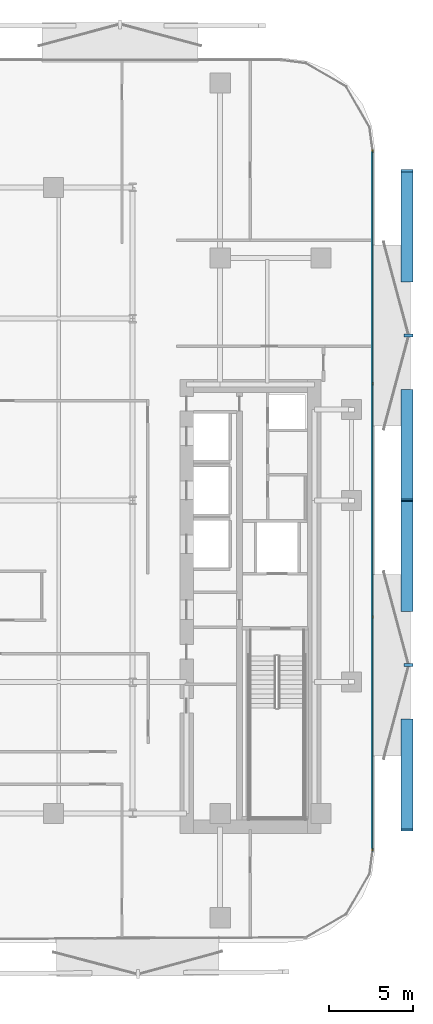
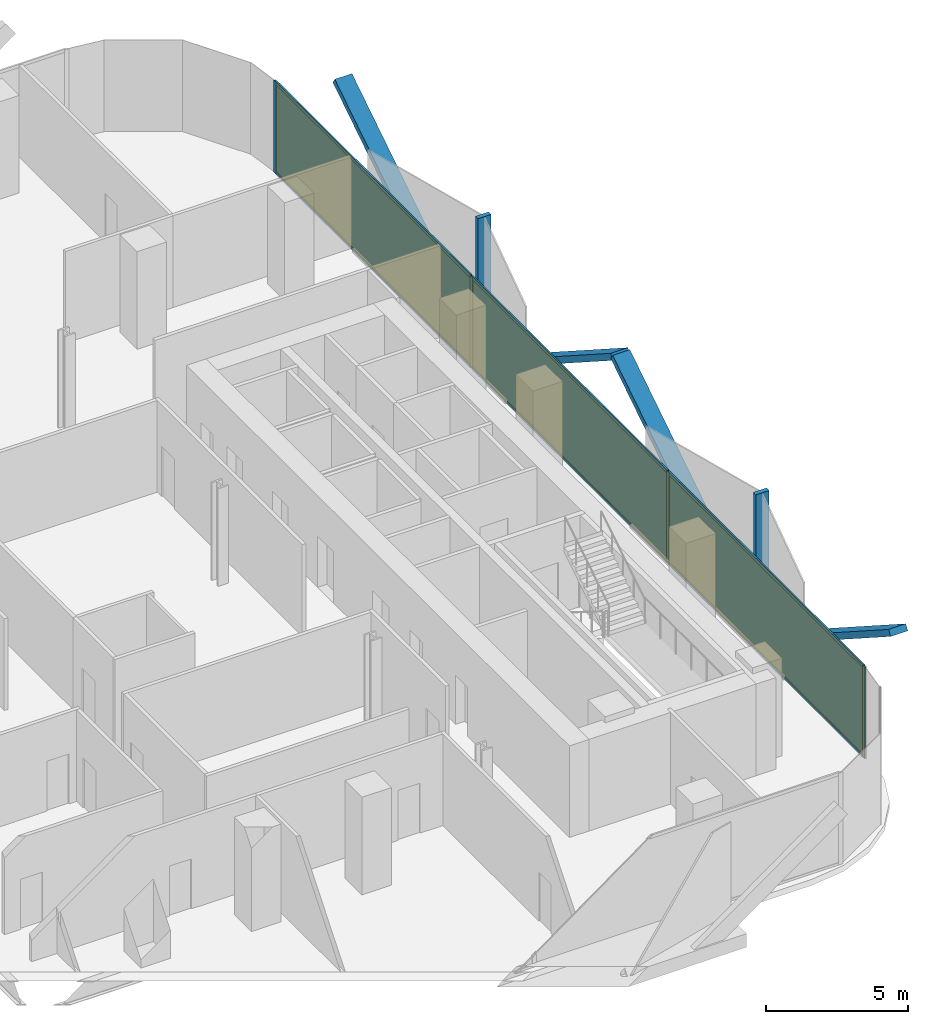
# One storey, part 10 of 16: 16 members, 3 plates, 1 curtain wall.
"""IFC4 building model written with IfcOpenShell, lengths in metres."""

from ifc_helpers import new_model, si_unit, direction, frame, frame_2d, origin, origin_2d, place, context, subcontext, project, spatial, rectangle, extrude, material, layer, layer_set, material_profile, profile_set, type_object, element, aggregate, save


model = new_model("IFC4")

# Units and contexts
model_context = context("Model", 3, precision=1e-05, world=origin(), true_north=direction((0.0, 1.0)))
body_context = subcontext(model_context, "Body", "Model", "MODEL_VIEW")
ifc_project = project(units=[si_unit("LENGTHUNIT", "METRE"), si_unit("AREAUNIT", "SQUARE_METRE"), si_unit("VOLUMEUNIT", "CUBIC_METRE"), si_unit("PLANEANGLEUNIT", "RADIAN"), si_unit("MASSUNIT", "GRAM", prefix="KILO")], contexts=[model_context])

# Member
ifc_material_1 = material(Name="Anodised Bronze Aluminium 6063-T6", Category="aluminium")
ifc_material_profile_1 = material_profile(ifc_material_1, rectangle(XDim=0.260009765625, YDim=0.699951171875, at=origin_2d()))
ifc_profile_set_1 = profile_set([ifc_material_profile_1], Name="Anodised Bronze Aluminium 6063-T6")
member_type_1 = type_object("IfcMemberType", Name="Bronze Diamond Solar-Screen Lattice Rib BDL-700", PredefinedType="MULLION", material=ifc_profile_set_1)
site_placement = place(None, origin())
building_placement = place(site_placement, origin())
storey_placement = place(building_placement, frame((0.0, 0.0, 139.39990234375)))
member_1_placement = place(storey_placement, frame((25.5, 6.5302734375, -0.1298828125), z_axis=(0.0, -0.841066075866, 0.540932395062), x_axis=(0.0, -0.540932395062, -0.841066075866)))
member_1 = element("IfcMember", 1, at=member_1_placement, type_object=member_type_1, Name="L32 Bronze Diamond Solar Screen Lattice Rib 207A", PredefinedType="MULLION", context=body_context, shape_type="SweptSolid", body=[
    extrude(rectangle(XDim=0.260009765625, YDim=0.699951171875, at=origin_2d()), origin(), (0.0, 0.0, 1.0), 7.76416015625),
])

member_2_placement = place(storey_placement, frame((25.5, 13.060546875, -0.1298828125), z_axis=(0.0, 0.841066075866, 0.540932395062), x_axis=(0.0, 0.540932395062, -0.841066075866)))
member_2 = element("IfcMember", 2, at=member_2_placement, type_object=member_type_1, Name="L32 Bronze Diamond Solar Screen Lattice Rib 207B", PredefinedType="MULLION", context=body_context, shape_type="SweptSolid", body=[
    extrude(rectangle(XDim=0.260009765625, YDim=0.699951171875, at=origin_2d()), origin(), (0.0, 0.0, 1.0), 7.76416015625),
])

member_3_placement = place(storey_placement, frame((25.5, -13.060546875, -0.1298828125), z_axis=(0.0, -0.841066075866, 0.540932395062), x_axis=(0.0, -0.540932395062, -0.841066075866)))
member_3 = element("IfcMember", 3, at=member_3_placement, type_object=member_type_1, Name="L32 Bronze Diamond Solar Screen Lattice Rib 208A", PredefinedType="MULLION", context=body_context, shape_type="SweptSolid", body=[
    extrude(rectangle(XDim=0.260009765625, YDim=0.699951171875, at=origin_2d()), origin(), (0.0, 0.0, 1.0), 7.76416015625),
])

member_4_placement = place(storey_placement, frame((25.5, -6.5302734375, -0.1298828125), z_axis=(0.0, 0.841066075866, 0.540932395062), x_axis=(0.0, 0.540932395062, -0.841066075866)))
member_4 = element("IfcMember", 4, at=member_4_placement, type_object=member_type_1, Name="L32 Bronze Diamond Solar Screen Lattice Rib 208B", PredefinedType="MULLION", context=body_context, shape_type="SweptSolid", body=[
    extrude(rectangle(XDim=0.260009765625, YDim=0.699951171875, at=origin_2d()), origin(), (0.0, 0.0, 1.0), 7.76416015625),
])

ifc_material_2 = material(Name="Anodised Bronze Aluminium 6063-T6", Category="aluminium")
ifc_material_profile_2 = material_profile(ifc_material_2, rectangle(XDim=0.179931640625, YDim=0.5400390625, at=origin_2d()))
ifc_profile_set_2 = profile_set([ifc_material_profile_2], Name="Anodised Bronze Aluminium 6063-T6")
member_type_2 = type_object("IfcMemberType", Name="Bronze Solar-Screen Vertical Fold Fin BSF-540", PredefinedType="MULLION", material=ifc_profile_set_2)
member_5_placement = place(storey_placement, frame((25.580078125, 9.79541015625, -0.1298828125), z_axis=(0.0, 0.0, 1.0), x_axis=(0.0, -1.0, 0.0)))
member_5 = element("IfcMember", 5, at=member_5_placement, type_object=member_type_2, Name="L32 Bronze Solar Screen Vertical Fin 207", PredefinedType="MULLION", context=body_context, shape_type="SweptSolid", body=[
    extrude(rectangle(XDim=0.179931640625, YDim=0.5400390625, at=origin_2d()), origin(), (0.0, 0.0, 1.0), 4.199951171875),
])

member_6_placement = place(storey_placement, frame((25.580078125, -9.79541015625, -0.1298828125), z_axis=(0.0, 0.0, 1.0), x_axis=(0.0, -1.0, 0.0)))
member_6 = element("IfcMember", 6, at=member_6_placement, type_object=member_type_2, Name="L32 Bronze Solar Screen Vertical Fin 208", PredefinedType="MULLION", context=body_context, shape_type="SweptSolid", body=[
    extrude(rectangle(XDim=0.179931640625, YDim=0.5400390625, at=origin_2d()), origin(), (0.0, 0.0, 1.0), 4.199951171875),
])

ifc_material_3 = material(Name="Anodised Bronze Aluminium 6063-T6", Category="aluminium")
ifc_material_profile_3 = material_profile(ifc_material_3, rectangle(XDim=0.06494140625, YDim=0.175048828125, at=origin_2d()))
ifc_profile_set_3 = profile_set([ifc_material_profile_3], Name="Anodised Bronze Aluminium 6063-T6")
member_type_3 = type_object("IfcMemberType", Name="CW-Z2 Mullion 65x175", PredefinedType="MULLION", material=ifc_profile_set_3)
member_7_placement = place(storey_placement, frame((23.4599609375, 20.75830078125, 0.0), z_axis=(0.0, 0.0, 1.0), x_axis=(1.0, 0.0, 0.0)))
member_7 = element("IfcMember", 7, at=member_7_placement, type_object=member_type_3, Name="CW-Z2 mullion 1", PredefinedType="MULLION", context=body_context, shape_type="SweptSolid", body=[
    extrude(rectangle(XDim=0.06494140625, YDim=0.175048828125, at=origin_2d()), origin(), (0.0, 0.0, 1.0), 3.940185546875),
])

member_8_placement = place(storey_placement, frame((23.4599609375, 6.93017578125, 0.0), z_axis=(0.0, 0.0, 1.0), x_axis=(1.0, 0.0, 0.0)))
member_8 = element("IfcMember", 8, at=member_8_placement, type_object=member_type_3, Name="CW-Z2 mullion 2", PredefinedType="MULLION", context=body_context, shape_type="SweptSolid", body=[
    extrude(rectangle(XDim=0.06494140625, YDim=0.175048828125, at=origin_2d()), origin(), (0.0, 0.0, 1.0), 3.940185546875),
])

member_9_placement = place(storey_placement, frame((23.4599609375, -6.93017578125, 0.0), z_axis=(0.0, 0.0, 1.0), x_axis=(1.0, 0.0, 0.0)))
member_9 = element("IfcMember", 9, at=member_9_placement, type_object=member_type_3, Name="CW-Z2 mullion 3", PredefinedType="MULLION", context=body_context, shape_type="SweptSolid", body=[
    extrude(rectangle(XDim=0.06494140625, YDim=0.175048828125, at=origin_2d()), origin(), (0.0, 0.0, 1.0), 3.940185546875),
])

member_10_placement = place(storey_placement, frame((23.4599609375, -20.75830078125, 0.0), z_axis=(0.0, 0.0, 1.0), x_axis=(1.0, 0.0, 0.0)))
member_10 = element("IfcMember", 10, at=member_10_placement, type_object=member_type_3, Name="CW-Z2 mullion 4", PredefinedType="MULLION", context=body_context, shape_type="SweptSolid", body=[
    extrude(rectangle(XDim=0.06494140625, YDim=0.175048828125, at=origin_2d()), origin(), (0.0, 0.0, 1.0), 3.940185546875),
])

ifc_material_4 = material(Name="Anodised Bronze Aluminium 6063-T6", Category="aluminium")
ifc_material_profile_4 = material_profile(ifc_material_4, rectangle(XDim=0.06494140625, YDim=0.135009765625, at=origin_2d()))
ifc_profile_set_4 = profile_set([ifc_material_profile_4], Name="Anodised Bronze Aluminium 6063-T6")
member_type_4 = type_object("IfcMemberType", Name="CW-Z2 Transom 65x135", PredefinedType="USERDEFINED", material=ifc_profile_set_4)
member_11_placement = place(storey_placement, frame((23.4599609375, 20.725830078125, 0.03271484375), z_axis=(0.0, -1.0, 0.0), x_axis=(1.0, 0.0, 0.0)))
member_11 = element("IfcMember", 11, at=member_11_placement, type_object=member_type_4, Name="CW-Z2 transom 1.1", ObjectType="TRANSOM", PredefinedType="USERDEFINED", context=body_context, shape_type="SweptSolid", body=[
    extrude(rectangle(XDim=0.06494140625, YDim=0.135009765625, at=origin_2d()), origin(), (0.0, 0.0, 1.0), 13.76318359375),
])

member_12_placement = place(storey_placement, frame((23.4599609375, 20.725830078125, 3.90771484375), z_axis=(0.0, -1.0, 0.0), x_axis=(1.0, 0.0, 0.0)))
member_12 = element("IfcMember", 12, at=member_12_placement, type_object=member_type_4, Name="CW-Z2 transom 1.2", ObjectType="TRANSOM", PredefinedType="USERDEFINED", context=body_context, shape_type="SweptSolid", body=[
    extrude(rectangle(XDim=0.06494140625, YDim=0.135009765625, at=origin_2d()), origin(), (0.0, 0.0, 1.0), 13.76318359375),
])

member_13_placement = place(storey_placement, frame((23.4599609375, 6.897705078125, 0.03271484375), z_axis=(0.0, -1.0, 0.0), x_axis=(1.0, 0.0, 0.0)))
member_13 = element("IfcMember", 13, at=member_13_placement, type_object=member_type_4, Name="CW-Z2 transom 2.1", ObjectType="TRANSOM", PredefinedType="USERDEFINED", context=body_context, shape_type="SweptSolid", body=[
    extrude(rectangle(XDim=0.06494140625, YDim=0.135009765625, at=origin_2d()), origin(), (0.0, 0.0, 1.0), 13.79541015625),
])

member_14_placement = place(storey_placement, frame((23.4599609375, 6.897705078125, 3.90771484375), z_axis=(0.0, -1.0, 0.0), x_axis=(1.0, 0.0, 0.0)))
member_14 = element("IfcMember", 14, at=member_14_placement, type_object=member_type_4, Name="CW-Z2 transom 2.2", ObjectType="TRANSOM", PredefinedType="USERDEFINED", context=body_context, shape_type="SweptSolid", body=[
    extrude(rectangle(XDim=0.06494140625, YDim=0.135009765625, at=origin_2d()), origin(), (0.0, 0.0, 1.0), 13.79541015625),
])

member_15_placement = place(storey_placement, frame((23.4599609375, -6.962646484375, 0.03271484375), z_axis=(0.0, -1.0, 0.0), x_axis=(1.0, 0.0, 0.0)))
member_15 = element("IfcMember", 15, at=member_15_placement, type_object=member_type_4, Name="CW-Z2 transom 3.1", ObjectType="TRANSOM", PredefinedType="USERDEFINED", context=body_context, shape_type="SweptSolid", body=[
    extrude(rectangle(XDim=0.06494140625, YDim=0.135009765625, at=origin_2d()), origin(), (0.0, 0.0, 1.0), 13.76318359375),
])

member_16_placement = place(storey_placement, frame((23.4599609375, -6.962646484375, 3.90771484375), z_axis=(0.0, -1.0, 0.0), x_axis=(1.0, 0.0, 0.0)))
member_16 = element("IfcMember", 16, at=member_16_placement, type_object=member_type_4, Name="CW-Z2 transom 3.2", ObjectType="TRANSOM", PredefinedType="USERDEFINED", context=body_context, shape_type="SweptSolid", body=[
    extrude(rectangle(XDim=0.06494140625, YDim=0.135009765625, at=origin_2d()), origin(), (0.0, 0.0, 1.0), 13.76318359375),
])

# Plate
ifc_material_5 = material(Name="Low-E Solar Control Laminated Glass", Category="glass")
ifc_layer_1 = layer(ifc_material_5, 0.028076171875, Name="Low-E Solar Control Laminated Glass")
ifc_layer_set_1 = layer_set([ifc_layer_1], Name="Low-E Solar Control Laminated Glass")
plate_type = type_object("IfcPlateType", Name="CW-Z2 Low-E Double Glazed Panel 28mm", PredefinedType="CURTAIN_PANEL", material=ifc_layer_set_1)
plate_1_placement = place(storey_placement, frame((23.4599609375, 13.84423828125, 0.065185546875), z_axis=(0.0, 0.0, 1.0), x_axis=(0.0, -1.0, 0.0)))
plate_1 = element("IfcPlate", 17, at=plate_1_placement, type_object=plate_type, Name="CW-Z2 panel 1.1", PredefinedType="CURTAIN_PANEL", context=body_context, shape_type="SweptSolid", body=[
    extrude(rectangle(XDim=13.762939453125, YDim=0.028076171875, at=origin_2d()), origin(), (0.0, 0.0, 1.0), 3.81005859375),
])

plate_2_placement = place(storey_placement, frame((23.4599609375, 0.0, 0.065185546875), z_axis=(0.0, 0.0, 1.0), x_axis=(0.0, -1.0, 0.0)))
plate_2 = element("IfcPlate", 18, at=plate_2_placement, type_object=plate_type, Name="CW-Z2 panel 2.1", PredefinedType="CURTAIN_PANEL", context=body_context, shape_type="SweptSolid", body=[
    extrude(rectangle(XDim=13.795654296875, YDim=0.028076171875, at=origin_2d()), origin(), (0.0, 0.0, 1.0), 3.81005859375),
])

plate_3_placement = place(storey_placement, frame((23.4599609375, -13.84423828125, 0.065185546875), z_axis=(0.0, 0.0, 1.0), x_axis=(0.0, -1.0, 0.0)))
plate_3 = element("IfcPlate", 19, at=plate_3_placement, type_object=plate_type, Name="CW-Z2 panel 3.1", PredefinedType="CURTAIN_PANEL", context=body_context, shape_type="SweptSolid", body=[
    extrude(rectangle(XDim=13.762939453125, YDim=0.028076171875, at=origin_2d()), origin(), (0.0, 0.0, 1.0), 3.81005859375),
])

# Site, building, storey
site = spatial("IfcSite", under=ifc_project, at=site_placement, CompositionType="ELEMENT")
building = spatial("IfcBuilding", under=site, at=building_placement, Name="Khairoan Windgate Tower", CompositionType="ELEMENT")
storey = spatial("IfcBuildingStorey", under=building, at=storey_placement, Name="L32", CompositionType="ELEMENT", Elevation=139.39990234375)

# Curtain wall
ifc_material_6 = material(Name="Anodised Bronze Aluminium 6063-T6", Category="aluminium")
ifc_layer_2 = layer(ifc_material_6, 0.175048828125, Name="Anodised Bronze Aluminium 6063-T6")
ifc_layer_set_2 = layer_set([ifc_layer_2], Name="Anodised Bronze Aluminium 6063-T6")
curtain_wall_type = type_object("IfcCurtainWallType", Name="Mid-Rise Office Unitised Curtain Wall CW-Z2", PredefinedType="NOTDEFINED", material=ifc_layer_set_2)
curtain_wall_placement = place(storey_placement, frame((23.4599609375, 20.790771484375, 0.0), z_axis=(0.0, 0.0, 1.0), x_axis=(0.0, -1.0, 0.0)))
curtain_wall = element("IfcCurtainWall", 20, at=curtain_wall_placement, inside=storey, type_object=curtain_wall_type, Name="L32 Unitised Curtain Wall 16", PredefinedType="NOTDEFINED", context=body_context, shape_type="SweptSolid", body=[
    extrude(rectangle(XDim=41.58154296875, YDim=0.010009765625, at=frame_2d((20.790771484375, 0.0))), origin(), (0.0, 0.0, 1.0), 3.940185546875),
])

aggregate(curtain_wall, [member_7, member_8, member_9, member_10, member_11, member_12, plate_1, member_13, member_14, plate_2, member_15, member_16, plate_3, member_1, member_2, member_5, member_3, member_4, member_6])

save(model, "model.ifc")
